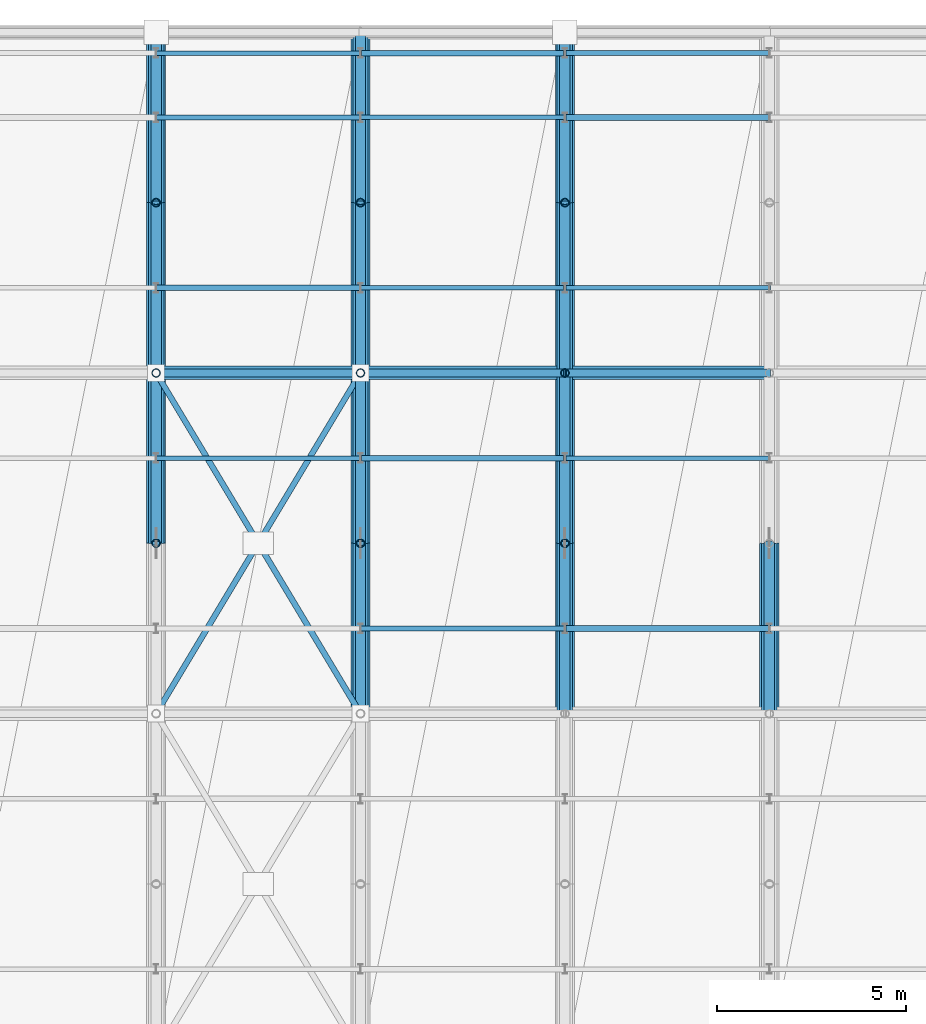
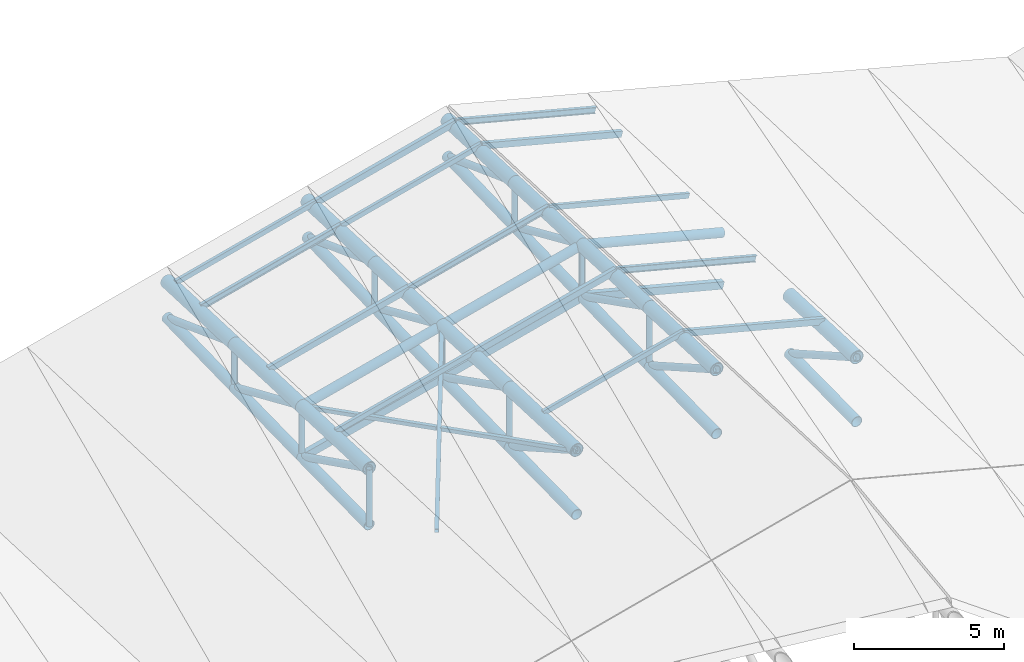
# One storey, part 29 of 109: 44 members, 24 beams.
"""IFC4 building model written with IfcOpenShell, lengths in metres."""

from ifc_helpers import new_model, si_unit, direction, frame, origin, origin_2d, place, context, subcontext, project, spatial, hollow_rectangle, hollow_circle, i_section, extrude, material, material_profile, profile_set, type_object, element, save


model = new_model("IFC4")

# Units and contexts
model_context = context("Model", 3, precision=1e-05, world=origin(), true_north=direction((0.0, 1.0)))
body_context = subcontext(model_context, "Body", "Model", "MODEL_VIEW")
ifc_project = project(units=[si_unit("LENGTHUNIT", "METRE"), si_unit("AREAUNIT", "SQUARE_METRE"), si_unit("VOLUMEUNIT", "CUBIC_METRE"), si_unit("PLANEANGLEUNIT", "RADIAN"), si_unit("MASSUNIT", "GRAM", prefix="KILO")], contexts=[model_context])

# Site, building, storey
site_placement = place(None, origin())
site = spatial("IfcSite", under=ifc_project, at=site_placement, CompositionType="ELEMENT")
building_placement = place(site_placement, origin())
building = spatial("IfcBuilding", under=site, at=building_placement, Name="Suirenkawa Promenade Aquatics Centre", CompositionType="ELEMENT")
storey_placement = place(building_placement, frame((0.0, 0.0, 22.800048828125)))
storey = spatial("IfcBuildingStorey", under=building, at=storey_placement, Name="ROOF", CompositionType="ELEMENT", Elevation=22.800048828125)

# Beams
ifc_material = material(Name="Steel IS 2062 E350 (Grade 350)", Category="steel")
ifc_material_profile_1 = material_profile(ifc_material, hollow_circle(Radius=0.202880859375, WallThickness=0.01806640625, at=origin_2d()), Name="CHS 406x18", Category="steel")
ifc_profile_set_1 = profile_set([ifc_material_profile_1], Name="Steel IS 2062 E350 (Grade 350)")
beam_type_1 = type_object("IfcBeamType", Name="BT-BC-CHS406", PredefinedType="BEAM", material=ifc_profile_set_1)
beam_1_placement = place(storey_placement, frame((100.800048828125, 108.89990234375, -9.260986328125), z_axis=(0.0, 0.999857684193, 0.016870428591), x_axis=(-1.0, 0.0, 0.0)))
element("IfcBeam", 1, at=beam_1_placement, inside=storey, type_object=beam_type_1, Name="ROOF TRUSS V1 bottom chord BC-01 BM-2110", PredefinedType="BEAM", context=body_context, shape_type="SweptSolid", body=[
    extrude(hollow_circle(Radius=0.202880859375, WallThickness=0.01806640625, at=origin_2d()), origin(), (0.0, 0.0, 1.0), 4.500732421875),
])
beam_2_placement = place(storey_placement, frame((100.800048828125, 113.39990234375, -9.18505859375), z_axis=(0.0, 0.999772771848, 0.021316769712), x_axis=(-1.0, 0.0, 0.0)))
element("IfcBeam", 2, at=beam_2_placement, inside=storey, type_object=beam_type_1, Name="ROOF TRUSS V1 bottom chord BC-01 BM-2112", PredefinedType="BEAM", context=body_context, shape_type="SweptSolid", body=[
    extrude(hollow_circle(Radius=0.202880859375, WallThickness=0.01806640625, at=origin_2d()), origin(), (0.0, 0.0, 1.0), 4.5009765625),
])
beam_3_placement = place(storey_placement, frame((100.800048828125, 117.89990234375, -9.089111328125), z_axis=(0.0, 0.99970606682, 0.024244173821), x_axis=(-1.0, 0.0, 0.0)))
element("IfcBeam", 3, at=beam_3_placement, inside=storey, type_object=beam_type_1, Name="ROOF TRUSS V1 bottom chord BC-01 BM-2114", PredefinedType="BEAM", context=body_context, shape_type="SweptSolid", body=[
    extrude(hollow_circle(Radius=0.202880859375, WallThickness=0.01806640625, at=origin_2d()), origin(), (0.0, 0.0, 1.0), 4.501220703125),
])
beam_4_placement = place(storey_placement, frame((106.199951171875, 104.39990234375, -7.9931640625), z_axis=(0.0, 0.999901290193, 0.01405026227), x_axis=(-1.0, 0.0, 0.0)))
element("IfcBeam", 4, at=beam_4_placement, inside=storey, type_object=beam_type_1, Name="ROOF TRUSS V1 bottom chord BC-01 BM-2136", PredefinedType="BEAM", context=body_context, shape_type="SweptSolid", body=[
    extrude(hollow_circle(Radius=0.202880859375, WallThickness=0.01806640625, at=origin_2d()), origin(), (0.0, 0.0, 1.0), 4.50048828125),
])
beam_5_placement = place(storey_placement, frame((106.199951171875, 108.89990234375, -7.929931640625), z_axis=(0.0, 0.999768124416, 0.02153363419), x_axis=(-1.0, 0.0, 0.0)))
element("IfcBeam", 5, at=beam_5_placement, inside=storey, type_object=beam_type_1, Name="ROOF TRUSS V1 bottom chord BC-01 BM-2138", PredefinedType="BEAM", context=body_context, shape_type="SweptSolid", body=[
    extrude(hollow_circle(Radius=0.202880859375, WallThickness=0.01806640625, at=origin_2d()), origin(), (0.0, 0.0, 1.0), 4.5009765625),
])
beam_6_placement = place(storey_placement, frame((106.199951171875, 113.39990234375, -7.8330078125), z_axis=(0.0, 0.999645385078, 0.026629008468), x_axis=(-1.0, 0.0, 0.0)))
element("IfcBeam", 6, at=beam_6_placement, inside=storey, type_object=beam_type_1, Name="ROOF TRUSS V1 bottom chord BC-01 BM-2140", PredefinedType="BEAM", context=body_context, shape_type="SweptSolid", body=[
    extrude(hollow_circle(Radius=0.202880859375, WallThickness=0.01806640625, at=origin_2d()), origin(), (0.0, 0.0, 1.0), 4.501708984375),
])
beam_7_placement = place(storey_placement, frame((106.199951171875, 117.89990234375, -7.713134765625), z_axis=(0.0, 0.999563148904, 0.029555225486), x_axis=(-1.0, 0.0, 0.0)))
element("IfcBeam", 7, at=beam_7_placement, inside=storey, type_object=beam_type_1, Name="ROOF TRUSS V1 bottom chord BC-01 BM-2142", PredefinedType="BEAM", context=body_context, shape_type="SweptSolid", body=[
    extrude(hollow_circle(Radius=0.202880859375, WallThickness=0.01806640625, at=origin_2d()), origin(), (0.0, 0.0, 1.0), 4.501953125),
])
beam_8_placement = place(storey_placement, frame((111.60009765625, 104.39990234375, -6.593017578125), z_axis=(0.0, 0.999902050848, 0.0139960248), x_axis=(-1.0, 0.0, 0.0)))
element("IfcBeam", 8, at=beam_8_placement, inside=storey, type_object=beam_type_1, Name="ROOF TRUSS V1 bottom chord BC-01 BM-2164", PredefinedType="BEAM", context=body_context, shape_type="SweptSolid", body=[
    extrude(hollow_circle(Radius=0.202880859375, WallThickness=0.01806640625, at=origin_2d()), origin(), (0.0, 0.0, 1.0), 4.50048828125),
])
beam_9_placement = place(storey_placement, frame((111.60009765625, 108.89990234375, -6.530029296875), z_axis=(0.0, 0.999768124416, 0.02153363419), x_axis=(-1.0, 0.0, 0.0)))
element("IfcBeam", 9, at=beam_9_placement, inside=storey, type_object=beam_type_1, Name="ROOF TRUSS V1 bottom chord BC-01 BM-2166", PredefinedType="BEAM", context=body_context, shape_type="SweptSolid", body=[
    extrude(hollow_circle(Radius=0.202880859375, WallThickness=0.01806640625, at=origin_2d()), origin(), (0.0, 0.0, 1.0), 4.5009765625),
])
beam_10_placement = place(storey_placement, frame((111.60009765625, 113.39990234375, -6.43310546875), z_axis=(0.0, 0.999643939919, 0.026683204125), x_axis=(-1.0, 0.0, 0.0)))
element("IfcBeam", 10, at=beam_10_placement, inside=storey, type_object=beam_type_1, Name="ROOF TRUSS V1 bottom chord BC-01 BM-2168", PredefinedType="BEAM", context=body_context, shape_type="SweptSolid", body=[
    extrude(hollow_circle(Radius=0.202880859375, WallThickness=0.01806640625, at=origin_2d()), origin(), (0.0, 0.0, 1.0), 4.501708984375),
])
beam_11_placement = place(storey_placement, frame((111.60009765625, 117.89990234375, -6.31298828125), z_axis=(0.0, 0.999563148904, 0.029555225486), x_axis=(-1.0, 0.0, 0.0)))
element("IfcBeam", 11, at=beam_11_placement, inside=storey, type_object=beam_type_1, Name="ROOF TRUSS V1 bottom chord BC-01 BM-2170", PredefinedType="BEAM", context=body_context, shape_type="SweptSolid", body=[
    extrude(hollow_circle(Radius=0.202880859375, WallThickness=0.01806640625, at=origin_2d()), origin(), (0.0, 0.0, 1.0), 4.501953125),
])
beam_12_placement = place(storey_placement, frame((117.0, 104.39990234375, -7.9931640625), z_axis=(0.0, 0.999901290193, 0.01405026227), x_axis=(-1.0, 0.0, 0.0)))
element("IfcBeam", 12, at=beam_12_placement, inside=storey, type_object=beam_type_1, Name="ROOF TRUSS V1 bottom chord BC-01 BM-2192", PredefinedType="BEAM", context=body_context, shape_type="SweptSolid", body=[
    extrude(hollow_circle(Radius=0.202880859375, WallThickness=0.01806640625, at=origin_2d()), origin(), (0.0, 0.0, 1.0), 4.50048828125),
])
ifc_material_profile_2 = material_profile(ifc_material, hollow_circle(Radius=0.25390625, WallThickness=0.02392578125, at=origin_2d()), Name="CHS 508x24", Category="steel")
ifc_profile_set_2 = profile_set([ifc_material_profile_2], Name="Steel IS 2062 E350 (Grade 350)")
beam_type_2 = type_object("IfcBeamType", Name="BT-TC-CHS508", PredefinedType="BEAM", material=ifc_profile_set_2)
for number, where, z_axis, x_axis, name in (
    (13, (100.800048828125, 108.89990234375, -6.949951171875), (0.0, 0.999173184279, -0.040656460949), (-1.0, 0.0, 0.0), "ROOF TRUSS V1 top chord TC-02 BM-2109"),
    (14, (100.800048828125, 113.39990234375, -7.133056640625), (0.0, 0.999164352475, -0.040872934124), (-1.0, 0.0, 0.0), "ROOF TRUSS V1 top chord TC-02 BM-2111"),
    (15, (100.800048828125, 117.89990234375, -7.317138671875), (0.0, 0.999175384927, -0.040602341759), (-1.0, 0.0, 0.0), "ROOF TRUSS V1 top chord TC-02 BM-2113"),
    (16, (106.199951171875, 104.39990234375, -5.366943359375), (0.0, 0.999173184279, -0.040656460949), (-1.0, 0.0, 0.0), "ROOF TRUSS V1 top chord TC-02 BM-2135"),
    (17, (106.199951171875, 108.89990234375, -5.550048828125), (0.0, 0.999173184279, -0.040656460949), (-1.0, 0.0, 0.0), "ROOF TRUSS V1 top chord TC-02 BM-2137"),
    (18, (106.199951171875, 113.39990234375, -5.733154296875), (0.0, 0.999166564808, -0.040818816368), (-1.0, 0.0, 0.0), "ROOF TRUSS V1 top chord TC-02 BM-2139"),
    (19, (106.199951171875, 117.89990234375, -5.9169921875), (0.0, 0.999173184279, -0.040656460949), (-1.0, 0.0, 0.0), "ROOF TRUSS V1 top chord TC-02 BM-2141"),
    (20, (111.60009765625, 104.39990234375, -3.967041015625), (0.0, 0.999173184279, -0.040656460949), (-1.0, 0.0, 0.0), "ROOF TRUSS V1 top chord TC-02 BM-2163"),
    (21, (111.60009765625, 108.89990234375, -4.150146484375), (0.0, 0.999175384927, -0.040602341759), (-1.0, 0.0, 0.0), "ROOF TRUSS V1 top chord TC-02 BM-2165"),
    (22, (111.60009765625, 113.39990234375, -4.3330078125), (0.0, 0.999164352475, -0.040872934124), (-1.0, 0.0, 0.0), "ROOF TRUSS V1 top chord TC-02 BM-2167"),
    (23, (111.60009765625, 117.89990234375, -4.51708984375), (0.0, 0.999175384927, -0.040602341759), (-1.0, 0.0, 0.0), "ROOF TRUSS V1 top chord TC-02 BM-2169"),
    (24, (117.0, 104.39990234375, -5.366943359375), (0.0, 0.999173184279, -0.040656460949), (-1.0, 0.0, 0.0), "ROOF TRUSS V1 top chord TC-02 BM-2191"),
):
    element("IfcBeam", number, at=place(storey_placement, frame(where, z_axis=z_axis, x_axis=x_axis)), inside=storey, type_object=beam_type_2, Name=name, PredefinedType="BEAM", context=body_context, shape_type="SweptSolid", body=[
        extrude(hollow_circle(Radius=0.25390625, WallThickness=0.02392578125, at=origin_2d()), origin(), (0.0, 0.0, 1.0), 4.503662109375),
    ])

# Members
ifc_material_profile_3 = material_profile(ifc_material, hollow_rectangle(XDim=0.14990234375, YDim=0.14990234375, WallThickness=0.008056640625, at=origin_2d()), Name="SHS 150x150x8", Category="steel")
ifc_profile_set_3 = profile_set([ifc_material_profile_3], Name="Steel IS 2062 E350 (Grade 350)")
member_type_1 = type_object("IfcMemberType", Name="MT-BRACE-SHS150", PredefinedType="BRACE", material=ifc_profile_set_3)
member_1_placement = place(storey_placement, frame((100.800048828125, 104.39990234375, -6.76708984375), z_axis=(0.512010543315, 0.85336633822, 0.098036199066), x_axis=(-0.857497030584, 0.514488913912, 0.0)))
element("IfcMember", 25, at=member_1_placement, inside=storey, type_object=member_type_1, Name="ROOF TRUSS V1 continuous plan brace BF-02 MB-0953", PredefinedType="BRACE", context=body_context, shape_type="SweptSolid", body=[
    extrude(hollow_rectangle(XDim=0.14990234375, YDim=0.14990234375, WallThickness=0.008056640625, at=origin_2d()), origin(), (0.0, 0.0, 1.0), 10.54638671875),
])
for number, where, z_axis, x_axis, name in (
    (26, (106.199951171875, 104.39990234375, -5.366943359375), (-0.507387164148, 0.845583110921, -0.165974299767), (-0.857476239003, -0.514523565588, 0.0), "ROOF TRUSS V1 split plan brace A BF-02 MB-0954"),
    (27, (103.45703125, 108.971923828125, -6.26416015625), (-0.507391089831, 0.845589653245, -0.165928961565), (-0.857476239003, -0.514523565588, 0.0), "ROOF TRUSS V1 split plan brace B BF-02 MB-0955"),
):
    element("IfcMember", number, at=place(storey_placement, frame(where, z_axis=z_axis, x_axis=x_axis)), inside=storey, type_object=member_type_1, Name=name, PredefinedType="BRACE", context=body_context, shape_type="SweptSolid", body=[
        extrude(hollow_rectangle(XDim=0.14990234375, YDim=0.14990234375, WallThickness=0.008056640625, at=origin_2d()), origin(), (0.0, 0.0, 1.0), 5.236572265625),
    ])
ifc_material_profile_4 = material_profile(ifc_material, hollow_circle(Radius=0.177978515625, WallThickness=0.01611328125, at=origin_2d()), Name="CHS 356x16", Category="steel")
ifc_profile_set_4 = profile_set([ifc_material_profile_4], Name="Steel IS 2062 E350 (Grade 350)")
member_type_2 = type_object("IfcMemberType", Name="MT-CHORD-CHS356", PredefinedType="CHORD", material=ifc_profile_set_4)
member_2_placement = place(storey_placement, frame((100.800048828125, 113.39990234375, -7.133056640625), z_axis=(0.968000048288, 0.0, 0.250950007997), x_axis=(0.0, 1.0, 0.0)))
element("IfcMember", 28, at=member_2_placement, inside=storey, type_object=member_type_2, Name="ROOF TRUSS V1 tie chord CH-02 MB-0908", PredefinedType="CHORD", context=body_context, shape_type="SweptSolid", body=[
    extrude(hollow_circle(Radius=0.177978515625, WallThickness=0.01611328125, at=origin_2d()), origin(), (0.0, 0.0, 1.0), 5.578369140625),
])
member_3_placement = place(storey_placement, frame((106.199951171875, 113.39990234375, -5.733154296875), z_axis=(0.967992172948, 0.0, 0.250980383917), x_axis=(0.0, 1.0, 0.0)))
element("IfcMember", 29, at=member_3_placement, inside=storey, type_object=member_type_2, Name="ROOF TRUSS V1 tie chord CH-02 MB-0910", PredefinedType="CHORD", context=body_context, shape_type="SweptSolid", body=[
    extrude(hollow_circle(Radius=0.177978515625, WallThickness=0.01611328125, at=origin_2d()), origin(), (0.0, 0.0, 1.0), 5.57861328125),
])
member_4_placement = place(storey_placement, frame((111.60009765625, 113.39990234375, -4.3330078125), z_axis=(0.967989416096, 0.0, -0.250991016426), x_axis=(0.0, 1.0, 0.0)))
element("IfcMember", 30, at=member_4_placement, inside=storey, type_object=member_type_2, Name="ROOF TRUSS V1 tie chord CH-02 MB-0912", PredefinedType="CHORD", context=body_context, shape_type="SweptSolid", body=[
    extrude(hollow_circle(Radius=0.177978515625, WallThickness=0.01611328125, at=origin_2d()), origin(), (0.0, 0.0, 1.0), 5.578369140625),
])
ifc_material_profile_5 = material_profile(ifc_material, hollow_rectangle(XDim=0.199951171875, YDim=0.300048828125, WallThickness=0.011962890625, at=origin_2d()), Name="RHS 300x200x12", Category="steel")
ifc_profile_set_5 = profile_set([ifc_material_profile_5], Name="Steel IS 2062 E350 (Grade 350)")
member_type_3 = type_object("IfcMemberType", Name="MT-CHORD-RHS300", PredefinedType="CHORD", material=ifc_profile_set_5)
member_5_placement = place(storey_placement, frame((100.800048828125, 113.39990234375, -9.18505859375), z_axis=(0.970054720383, 0.0, 0.242886474432), x_axis=(0.0, 1.0, 0.0)))
element("IfcMember", 31, at=member_5_placement, inside=storey, type_object=member_type_3, Name="ROOF TRUSS V1 bottom tie CH-03 MB-0909", PredefinedType="CHORD", context=body_context, shape_type="SweptSolid", body=[
    extrude(hollow_rectangle(XDim=0.199951171875, YDim=0.300048828125, WallThickness=0.011962890625, at=origin_2d()), origin(), (0.0, 0.0, 1.0), 5.566650390625),
])
member_6_placement = place(storey_placement, frame((106.199951171875, 113.39990234375, -7.8330078125), z_axis=(0.96800280427, 0.0, 0.250939376992), x_axis=(0.0, 1.0, 0.0)))
element("IfcMember", 32, at=member_6_placement, inside=storey, type_object=member_type_3, Name="ROOF TRUSS V1 bottom tie CH-03 MB-0911", PredefinedType="CHORD", context=body_context, shape_type="SweptSolid", body=[
    extrude(hollow_rectangle(XDim=0.199951171875, YDim=0.300048828125, WallThickness=0.011962890625, at=origin_2d()), origin(), (0.0, 0.0, 1.0), 5.57861328125),
])
member_7_placement = place(storey_placement, frame((111.60009765625, 113.39990234375, -6.43310546875), z_axis=(0.968000048288, 0.0, -0.250950007997), x_axis=(0.0, 1.0, 0.0)))
element("IfcMember", 33, at=member_7_placement, inside=storey, type_object=member_type_3, Name="ROOF TRUSS V1 bottom tie CH-03 MB-0913", PredefinedType="CHORD", context=body_context, shape_type="SweptSolid", body=[
    extrude(hollow_rectangle(XDim=0.199951171875, YDim=0.300048828125, WallThickness=0.011962890625, at=origin_2d()), origin(), (0.0, 0.0, 1.0), 5.578369140625),
])
ifc_material_profile_6 = material_profile(ifc_material, i_section(OverallWidth=0.125, OverallDepth=0.25, WebThickness=0.007080078125, FlangeThickness=0.012939453125, at=origin_2d()), Name="ISMB 250", Category="steel")
ifc_profile_set_6 = profile_set([ifc_material_profile_6], Name="Steel IS 2062 E350 (Grade 350)")
member_type_4 = type_object("IfcMemberType", Name="MT-PURLIN-ISMB250", PredefinedType="PURLIN", material=ifc_profile_set_6)
member_8_placement = place(storey_placement, frame((100.800048828125, 120.14990234375, -7.179931640625), z_axis=(0.968000048288, 0.0, 0.250950007997), x_axis=(0.0, 1.0, 0.0)))
element("IfcMember", 34, at=member_8_placement, inside=storey, type_object=member_type_4, Name="ROOF TRUSS Roof purlin PU-04 MB-2079", PredefinedType="PURLIN", context=body_context, shape_type="SweptSolid", body=[
    extrude(i_section(OverallWidth=0.125, OverallDepth=0.25, WebThickness=0.007080078125, FlangeThickness=0.012939453125, at=origin_2d()), origin(), (0.0, 0.0, 1.0), 5.578369140625),
])
member_9_placement = place(storey_placement, frame((106.199951171875, 115.64990234375, -5.59716796875), z_axis=(0.967992172948, 0.0, 0.250980383917), x_axis=(0.0, 1.0, 0.0)))
element("IfcMember", 35, at=member_9_placement, inside=storey, type_object=member_type_4, Name="ROOF TRUSS Roof purlin PU-04 MB-2113", PredefinedType="PURLIN", context=body_context, shape_type="SweptSolid", body=[
    extrude(i_section(OverallWidth=0.125, OverallDepth=0.25, WebThickness=0.007080078125, FlangeThickness=0.012939453125, at=origin_2d()), origin(), (0.0, 0.0, 1.0), 5.57861328125),
])
for number, where, z_axis, x_axis, name in (
    (36, (111.60009765625, 111.14990234375, -4.012939453125), (0.967989416096, 0.0, -0.250991016426), (0.0, 1.0, 0.0), "ROOF TRUSS Roof purlin PU-04 MB-2147"),
    (37, (111.60009765625, 121.85009765625, -4.448974609375), (0.967989416096, 0.0, -0.250991016426), (0.0, 1.0, 0.0), "ROOF TRUSS Roof purlin PU-04 MB-2153"),
):
    element("IfcMember", number, at=place(storey_placement, frame(where, z_axis=z_axis, x_axis=x_axis)), inside=storey, type_object=member_type_4, Name=name, PredefinedType="PURLIN", context=body_context, shape_type="SweptSolid", body=[
        extrude(i_section(OverallWidth=0.125, OverallDepth=0.25, WebThickness=0.007080078125, FlangeThickness=0.012939453125, at=origin_2d()), origin(), (0.0, 0.0, 1.0), 5.578369140625),
    ])
ifc_material_profile_7 = material_profile(ifc_material, hollow_rectangle(XDim=0.1201171875, YDim=0.199951171875, WallThickness=0.008056640625, at=origin_2d()), Name="RHS 200x120x8", Category="steel")
ifc_profile_set_7 = profile_set([ifc_material_profile_7], Name="Steel IS 2062 E350 (Grade 350)")
member_type_5 = type_object("IfcMemberType", Name="MT-PURLIN-RHS200", PredefinedType="PURLIN", material=ifc_profile_set_7)
for number, where, z_axis, x_axis, name in (
    (38, (100.800048828125, 111.14990234375, -6.7880859375), (0.967989416096, 0.0, 0.250991016426), (0.0, 1.0, 0.0), "ROOF TRUSS Roof purlin PU-02 MB-2075"),
    (39, (100.800048828125, 121.85009765625, -7.22412109375), (0.967989416096, 0.0, 0.250991016426), (0.0, 1.0, 0.0), "ROOF TRUSS Roof purlin PU-02 MB-2081"),
):
    element("IfcMember", number, at=place(storey_placement, frame(where, z_axis=z_axis, x_axis=x_axis)), inside=storey, type_object=member_type_5, Name=name, PredefinedType="PURLIN", context=body_context, shape_type="SweptSolid", body=[
        extrude(hollow_rectangle(XDim=0.1201171875, YDim=0.199951171875, WallThickness=0.008056640625, at=origin_2d()), origin(), (0.0, 0.0, 1.0), 5.578369140625),
    ])
for number, where, z_axis, x_axis, name in (
    (40, (106.199951171875, 106.64990234375, -5.205078125), (0.967992172948, 0.0, 0.250980383917), (0.0, 1.0, 0.0), "ROOF TRUSS Roof purlin PU-02 MB-2109"),
    (41, (106.199951171875, 120.14990234375, -5.755126953125), (0.967992172948, 0.0, 0.250980383917), (0.0, 1.0, 0.0), "ROOF TRUSS Roof purlin PU-02 MB-2115"),
):
    element("IfcMember", number, at=place(storey_placement, frame(where, z_axis=z_axis, x_axis=x_axis)), inside=storey, type_object=member_type_5, Name=name, PredefinedType="PURLIN", context=body_context, shape_type="SweptSolid", body=[
        extrude(hollow_rectangle(XDim=0.1201171875, YDim=0.199951171875, WallThickness=0.008056640625, at=origin_2d()), origin(), (0.0, 0.0, 1.0), 5.57861328125),
    ])
member_10_placement = place(storey_placement, frame((111.60009765625, 115.64990234375, -4.172119140625), z_axis=(0.968000048288, 0.0, -0.250950007997), x_axis=(0.0, 1.0, 0.0)))
element("IfcMember", 42, at=member_10_placement, inside=storey, type_object=member_type_5, Name="ROOF TRUSS Roof purlin PU-02 MB-2149", PredefinedType="PURLIN", context=body_context, shape_type="SweptSolid", body=[
    extrude(hollow_rectangle(XDim=0.1201171875, YDim=0.199951171875, WallThickness=0.008056640625, at=origin_2d()), origin(), (0.0, 0.0, 1.0), 5.578369140625),
])
ifc_material_profile_8 = material_profile(ifc_material, hollow_rectangle(XDim=0.14990234375, YDim=0.25, WallThickness=0.010009765625, at=origin_2d()), Name="RHS 250x150x10", Category="steel")
ifc_profile_set_8 = profile_set([ifc_material_profile_8], Name="Steel IS 2062 E350 (Grade 350)")
member_type_6 = type_object("IfcMemberType", Name="MT-PURLIN-RHS250", PredefinedType="PURLIN", material=ifc_profile_set_8)
member_11_placement = place(storey_placement, frame((100.800048828125, 115.64990234375, -6.9970703125), z_axis=(0.968000048288, 0.0, 0.250950007997), x_axis=(0.0, 1.0, 0.0)))
element("IfcMember", 43, at=member_11_placement, inside=storey, type_object=member_type_6, Name="ROOF TRUSS Roof purlin PU-03 MB-2077", PredefinedType="PURLIN", context=body_context, shape_type="SweptSolid", body=[
    extrude(hollow_rectangle(XDim=0.14990234375, YDim=0.25, WallThickness=0.010009765625, at=origin_2d()), origin(), (0.0, 0.0, 1.0), 5.578369140625),
])
for number, where, z_axis, x_axis, name in (
    (44, (106.199951171875, 111.14990234375, -5.4140625), (0.96800280427, 0.0, 0.250939376992), (0.0, 1.0, 0.0), "ROOF TRUSS Roof purlin PU-03 MB-2111"),
    (45, (106.199951171875, 121.85009765625, -5.85009765625), (0.967992172948, 0.0, 0.250980383917), (0.0, 1.0, 0.0), "ROOF TRUSS Roof purlin PU-03 MB-2117"),
):
    element("IfcMember", number, at=place(storey_placement, frame(where, z_axis=z_axis, x_axis=x_axis)), inside=storey, type_object=member_type_6, Name=name, PredefinedType="PURLIN", context=body_context, shape_type="SweptSolid", body=[
        extrude(hollow_rectangle(XDim=0.14990234375, YDim=0.25, WallThickness=0.010009765625, at=origin_2d()), origin(), (0.0, 0.0, 1.0), 5.57861328125),
    ])
for number, where, z_axis, x_axis, name in (
    (46, (111.60009765625, 106.64990234375, -3.8310546875), (0.968000048288, 0.0, -0.250950007997), (0.0, 1.0, 0.0), "ROOF TRUSS Roof purlin PU-03 MB-2145"),
    (47, (111.60009765625, 120.14990234375, -4.381103515625), (0.968000048288, 0.0, -0.250950007997), (0.0, 1.0, 0.0), "ROOF TRUSS Roof purlin PU-03 MB-2151"),
):
    element("IfcMember", number, at=place(storey_placement, frame(where, z_axis=z_axis, x_axis=x_axis)), inside=storey, type_object=member_type_6, Name=name, PredefinedType="PURLIN", context=body_context, shape_type="SweptSolid", body=[
        extrude(hollow_rectangle(XDim=0.14990234375, YDim=0.25, WallThickness=0.010009765625, at=origin_2d()), origin(), (0.0, 0.0, 1.0), 5.578369140625),
    ])
ifc_material_profile_9 = material_profile(ifc_material, hollow_circle(Radius=0.110107421875, WallThickness=0.010009765625, at=origin_2d()), Name="CHS 220x10", Category="steel")
ifc_profile_set_9 = profile_set([ifc_material_profile_9], Name="Steel IS 2062 E350 (Grade 350)")
member_type_7 = type_object("IfcMemberType", Name="MT-WEB-CHS220", PredefinedType="BRACE", material=ifc_profile_set_9)
member_12_placement = place(storey_placement, frame((100.800048828125, 108.89990234375, -9.260986328125), z_axis=(0.0, 0.0, 1.0), x_axis=(1.0, 0.0, 0.0)))
element("IfcMember", 48, at=member_12_placement, inside=storey, type_object=member_type_7, Name="ROOF TRUSS V1 web post TD-01 MB-0295", PredefinedType="BRACE", context=body_context, shape_type="SweptSolid", body=[
    extrude(hollow_circle(Radius=0.110107421875, WallThickness=0.010009765625, at=origin_2d()), origin(), (0.0, 0.0, 1.0), 2.31103515625),
])
member_13_placement = place(storey_placement, frame((100.800048828125, 113.39990234375, -9.18505859375), z_axis=(0.0, 0.0, 1.0), x_axis=(1.0, 0.0, 0.0)))
element("IfcMember", 49, at=member_13_placement, inside=storey, type_object=member_type_7, Name="ROOF TRUSS V1 web post TD-01 MB-0296", PredefinedType="BRACE", context=body_context, shape_type="SweptSolid", body=[
    extrude(hollow_circle(Radius=0.110107421875, WallThickness=0.010009765625, at=origin_2d()), origin(), (0.0, 0.0, 1.0), 2.052001953125),
])
member_14_placement = place(storey_placement, frame((100.800048828125, 117.89990234375, -9.089111328125), z_axis=(0.0, 0.0, 1.0), x_axis=(1.0, 0.0, 0.0)))
element("IfcMember", 50, at=member_14_placement, inside=storey, type_object=member_type_7, Name="ROOF TRUSS V1 web post TD-01 MB-0297", PredefinedType="BRACE", context=body_context, shape_type="SweptSolid", body=[
    extrude(hollow_circle(Radius=0.110107421875, WallThickness=0.010009765625, at=origin_2d()), origin(), (0.0, 0.0, 1.0), 1.77197265625),
])
member_15_placement = place(storey_placement, frame((106.199951171875, 108.89990234375, -7.929931640625), z_axis=(0.0, 0.0, 1.0), x_axis=(1.0, 0.0, 0.0)))
element("IfcMember", 51, at=member_15_placement, inside=storey, type_object=member_type_7, Name="ROOF TRUSS V1 web post TD-01 MB-0322", PredefinedType="BRACE", context=body_context, shape_type="SweptSolid", body=[
    extrude(hollow_circle(Radius=0.110107421875, WallThickness=0.010009765625, at=origin_2d()), origin(), (0.0, 0.0, 1.0), 2.3798828125),
])
member_16_placement = place(storey_placement, frame((106.199951171875, 113.39990234375, -7.8330078125), z_axis=(0.0, 0.0, 1.0), x_axis=(1.0, 0.0, 0.0)))
element("IfcMember", 52, at=member_16_placement, inside=storey, type_object=member_type_7, Name="ROOF TRUSS V1 web post TD-01 MB-0323", PredefinedType="BRACE", context=body_context, shape_type="SweptSolid", body=[
    extrude(hollow_circle(Radius=0.110107421875, WallThickness=0.010009765625, at=origin_2d()), origin(), (0.0, 0.0, 1.0), 2.099853515625),
])
member_17_placement = place(storey_placement, frame((106.199951171875, 117.89990234375, -7.713134765625), z_axis=(0.0, 0.0, 1.0), x_axis=(1.0, 0.0, 0.0)))
element("IfcMember", 53, at=member_17_placement, inside=storey, type_object=member_type_7, Name="ROOF TRUSS V1 web post TD-01 MB-0324", PredefinedType="BRACE", context=body_context, shape_type="SweptSolid", body=[
    extrude(hollow_circle(Radius=0.110107421875, WallThickness=0.010009765625, at=origin_2d()), origin(), (0.0, 0.0, 1.0), 1.796142578125),
])
member_18_placement = place(storey_placement, frame((111.60009765625, 108.89990234375, -6.530029296875), z_axis=(0.0, 0.0, 1.0), x_axis=(1.0, 0.0, 0.0)))
element("IfcMember", 54, at=member_18_placement, inside=storey, type_object=member_type_7, Name="ROOF TRUSS V1 web post TD-01 MB-0349", PredefinedType="BRACE", context=body_context, shape_type="SweptSolid", body=[
    extrude(hollow_circle(Radius=0.110107421875, WallThickness=0.010009765625, at=origin_2d()), origin(), (0.0, 0.0, 1.0), 2.3798828125),
])
member_19_placement = place(storey_placement, frame((111.60009765625, 113.39990234375, -6.43310546875), z_axis=(0.0, 0.0, 1.0), x_axis=(1.0, 0.0, 0.0)))
element("IfcMember", 55, at=member_19_placement, inside=storey, type_object=member_type_7, Name="ROOF TRUSS V1 web post TD-01 MB-0350", PredefinedType="BRACE", context=body_context, shape_type="SweptSolid", body=[
    extrude(hollow_circle(Radius=0.110107421875, WallThickness=0.010009765625, at=origin_2d()), origin(), (0.0, 0.0, 1.0), 2.10009765625),
])
member_20_placement = place(storey_placement, frame((111.60009765625, 117.89990234375, -6.31298828125), z_axis=(0.0, 0.0, 1.0), x_axis=(1.0, 0.0, 0.0)))
element("IfcMember", 56, at=member_20_placement, inside=storey, type_object=member_type_7, Name="ROOF TRUSS V1 web post TD-01 MB-0351", PredefinedType="BRACE", context=body_context, shape_type="SweptSolid", body=[
    extrude(hollow_circle(Radius=0.110107421875, WallThickness=0.010009765625, at=origin_2d()), origin(), (0.0, 0.0, 1.0), 1.7958984375),
])
ifc_material_profile_10 = material_profile(ifc_material, hollow_circle(Radius=0.136962890625, WallThickness=0.011962890625, at=origin_2d()), Name="CHS 274x12", Category="steel")
ifc_profile_set_10 = profile_set([ifc_material_profile_10], Name="Steel IS 2062 E350 (Grade 350)")
member_type_8 = type_object("IfcMemberType", Name="MT-WEB-CHS274", PredefinedType="BRACE", material=ifc_profile_set_10)
member_21_placement = place(storey_placement, frame((100.800048828125, 108.89990234375, -6.949951171875), z_axis=(0.0, 0.895609642263, -0.444840835228), x_axis=(-1.0, 0.0, 0.0)))
element("IfcMember", 57, at=member_21_placement, inside=storey, type_object=member_type_8, Name="ROOF TRUSS V1 web diagonal TD-02 MB-0282", PredefinedType="BRACE", context=body_context, shape_type="SweptSolid", body=[
    extrude(hollow_circle(Radius=0.136962890625, WallThickness=0.011962890625, at=origin_2d()), origin(), (0.0, 0.0, 1.0), 5.0244140625),
])
member_22_placement = place(storey_placement, frame((100.800048828125, 113.39990234375, -7.133056640625), z_axis=(0.0, 0.917104858314, -0.398646057119), x_axis=(-1.0, 0.0, 0.0)))
element("IfcMember", 58, at=member_22_placement, inside=storey, type_object=member_type_8, Name="ROOF TRUSS V1 web diagonal TD-02 MB-0283", PredefinedType="BRACE", context=body_context, shape_type="SweptSolid", body=[
    extrude(hollow_circle(Radius=0.136962890625, WallThickness=0.011962890625, at=origin_2d()), origin(), (0.0, 0.0, 1.0), 4.90673828125),
])
member_23_placement = place(storey_placement, frame((100.800048828125, 117.89990234375, -7.317138671875), z_axis=(0.0, 0.938008167567, -0.346613152631), x_axis=(-1.0, 0.0, 0.0)))
element("IfcMember", 59, at=member_23_placement, inside=storey, type_object=member_type_8, Name="ROOF TRUSS V1 web diagonal TD-02 MB-0284", PredefinedType="BRACE", context=body_context, shape_type="SweptSolid", body=[
    extrude(hollow_circle(Radius=0.136962890625, WallThickness=0.011962890625, at=origin_2d()), origin(), (0.0, 0.0, 1.0), 4.79736328125),
])
member_24_placement = place(storey_placement, frame((106.199951171875, 104.39990234375, -5.366943359375), z_axis=(0.0, 0.868944344581, -0.494909816049), x_axis=(-1.0, 0.0, 0.0)))
element("IfcMember", 60, at=member_24_placement, inside=storey, type_object=member_type_8, Name="ROOF TRUSS V1 web diagonal TD-02 MB-0308", PredefinedType="BRACE", context=body_context, shape_type="SweptSolid", body=[
    extrude(hollow_circle(Radius=0.136962890625, WallThickness=0.011962890625, at=origin_2d()), origin(), (0.0, 0.0, 1.0), 5.1787109375),
])
member_25_placement = place(storey_placement, frame((106.199951171875, 108.89990234375, -5.550048828125), z_axis=(0.0, 0.891799234032, -0.452431349687), x_axis=(-1.0, 0.0, 0.0)))
element("IfcMember", 61, at=member_25_placement, inside=storey, type_object=member_type_8, Name="ROOF TRUSS V1 web diagonal TD-02 MB-0309", PredefinedType="BRACE", context=body_context, shape_type="SweptSolid", body=[
    extrude(hollow_circle(Radius=0.136962890625, WallThickness=0.011962890625, at=origin_2d()), origin(), (0.0, 0.0, 1.0), 5.0458984375),
])
member_26_placement = place(storey_placement, frame((106.199951171875, 113.39990234375, -5.733154296875), z_axis=(0.0, 0.915316496894, -0.402735285906), x_axis=(-1.0, 0.0, 0.0)))
element("IfcMember", 62, at=member_26_placement, inside=storey, type_object=member_type_8, Name="ROOF TRUSS V1 web diagonal TD-02 MB-0310", PredefinedType="BRACE", context=body_context, shape_type="SweptSolid", body=[
    extrude(hollow_circle(Radius=0.136962890625, WallThickness=0.011962890625, at=origin_2d()), origin(), (0.0, 0.0, 1.0), 4.916259765625),
])
member_27_placement = place(storey_placement, frame((106.199951171875, 117.89990234375, -5.9169921875), z_axis=(0.0, 0.937991621065, -0.346657927664), x_axis=(-1.0, 0.0, 0.0)))
element("IfcMember", 63, at=member_27_placement, inside=storey, type_object=member_type_8, Name="ROOF TRUSS V1 web diagonal TD-02 MB-0311", PredefinedType="BRACE", context=body_context, shape_type="SweptSolid", body=[
    extrude(hollow_circle(Radius=0.136962890625, WallThickness=0.011962890625, at=origin_2d()), origin(), (0.0, 0.0, 1.0), 4.79736328125),
])
member_28_placement = place(storey_placement, frame((111.60009765625, 104.39990234375, -3.967041015625), z_axis=(0.0, 0.868944344581, -0.494909816049), x_axis=(-1.0, 0.0, 0.0)))
element("IfcMember", 64, at=member_28_placement, inside=storey, type_object=member_type_8, Name="ROOF TRUSS V1 web diagonal TD-02 MB-0335", PredefinedType="BRACE", context=body_context, shape_type="SweptSolid", body=[
    extrude(hollow_circle(Radius=0.136962890625, WallThickness=0.011962890625, at=origin_2d()), origin(), (0.0, 0.0, 1.0), 5.1787109375),
])
member_29_placement = place(storey_placement, frame((111.60009765625, 108.89990234375, -4.150146484375), z_axis=(0.0, 0.891799234032, -0.452431349687), x_axis=(-1.0, 0.0, 0.0)))
element("IfcMember", 65, at=member_29_placement, inside=storey, type_object=member_type_8, Name="ROOF TRUSS V1 web diagonal TD-02 MB-0336", PredefinedType="BRACE", context=body_context, shape_type="SweptSolid", body=[
    extrude(hollow_circle(Radius=0.136962890625, WallThickness=0.011962890625, at=origin_2d()), origin(), (0.0, 0.0, 1.0), 5.0458984375),
])
member_30_placement = place(storey_placement, frame((111.60009765625, 113.39990234375, -4.3330078125), z_axis=(0.0, 0.915316496894, -0.402735285906), x_axis=(-1.0, 0.0, 0.0)))
element("IfcMember", 66, at=member_30_placement, inside=storey, type_object=member_type_8, Name="ROOF TRUSS V1 web diagonal TD-02 MB-0337", PredefinedType="BRACE", context=body_context, shape_type="SweptSolid", body=[
    extrude(hollow_circle(Radius=0.136962890625, WallThickness=0.011962890625, at=origin_2d()), origin(), (0.0, 0.0, 1.0), 4.916259765625),
])
member_31_placement = place(storey_placement, frame((111.60009765625, 117.89990234375, -4.51708984375), z_axis=(0.0, 0.938008167567, -0.346613152631), x_axis=(-1.0, 0.0, 0.0)))
element("IfcMember", 67, at=member_31_placement, inside=storey, type_object=member_type_8, Name="ROOF TRUSS V1 web diagonal TD-02 MB-0338", PredefinedType="BRACE", context=body_context, shape_type="SweptSolid", body=[
    extrude(hollow_circle(Radius=0.136962890625, WallThickness=0.011962890625, at=origin_2d()), origin(), (0.0, 0.0, 1.0), 4.79736328125),
])
member_32_placement = place(storey_placement, frame((117.0, 104.39990234375, -5.366943359375), z_axis=(0.0, 0.868944344581, -0.494909816049), x_axis=(-1.0, 0.0, 0.0)))
element("IfcMember", 68, at=member_32_placement, inside=storey, type_object=member_type_8, Name="ROOF TRUSS V1 web diagonal TD-02 MB-0362", PredefinedType="BRACE", context=body_context, shape_type="SweptSolid", body=[
    extrude(hollow_circle(Radius=0.136962890625, WallThickness=0.011962890625, at=origin_2d()), origin(), (0.0, 0.0, 1.0), 5.1787109375),
])

save(model, "model.ifc")
